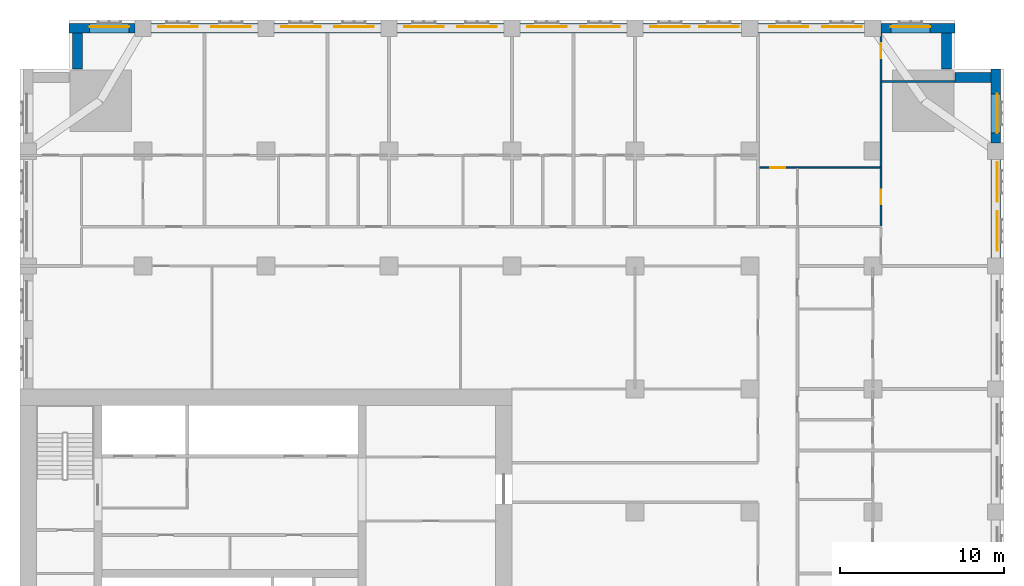
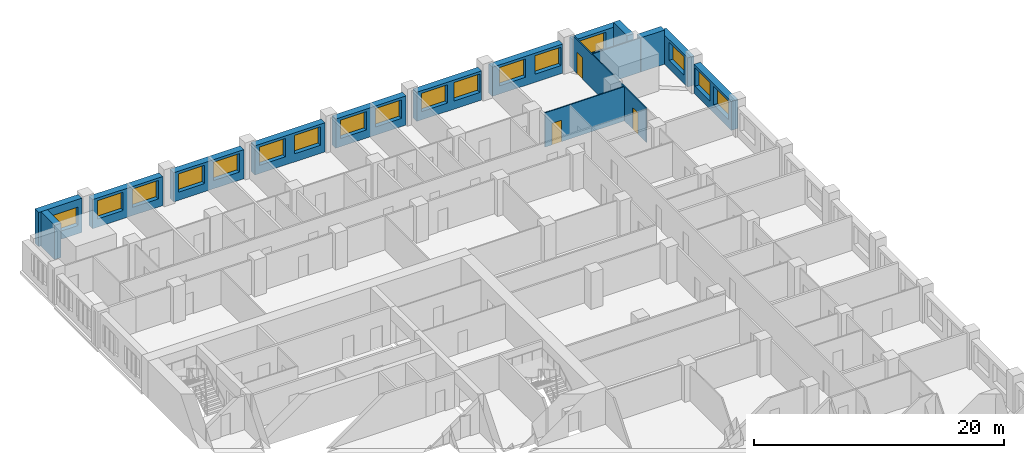
# One storey, part 11 of 14: 17 windows, 16 walls, 3 doors, 20 openings.
"""IFC4 building model written with IfcOpenShell, lengths in metres."""

from ifc_helpers import new_model, si_unit, direction, frame, frame_2d, origin, place, context, subcontext, project, spatial, rectangle, extrude, material, layer, layer_set, type_object, element, fill, save


model = new_model("IFC4")

# Units and contexts
model_context = context("Model", 3, precision=1e-05, world=origin(), true_north=direction((0.0, 1.0)))
body_context = subcontext(model_context, "Body", "Model", "MODEL_VIEW")
ifc_project = project(units=[si_unit("LENGTHUNIT", "METRE"), si_unit("AREAUNIT", "SQUARE_METRE"), si_unit("VOLUMEUNIT", "CUBIC_METRE"), si_unit("PLANEANGLEUNIT", "RADIAN"), si_unit("MASSUNIT", "GRAM", prefix="KILO")], contexts=[model_context])

# Site, building, storey
site_placement = place(None, origin())
site = spatial("IfcSite", under=ifc_project, at=site_placement, CompositionType="ELEMENT")
building_placement = place(site_placement, origin())
building = spatial("IfcBuilding", under=site, at=building_placement, Name="Tamorin Gate", CompositionType="ELEMENT")
storey_placement = place(building_placement, frame((0.0, 0.0, 79.10009765625)))
storey = spatial("IfcBuildingStorey", under=building, at=storey_placement, Name="L18", CompositionType="ELEMENT", Elevation=79.10009765625)

# Wall, openings, windows
ifc_material_1 = material(Name="Precast concrete C40/50", Category="concrete")
ifc_layer_1 = layer(ifc_material_1, 0.60009765625)
ifc_layer_set_1 = layer_set([ifc_layer_1], Name="Precast concrete C40/50")
wall_type_1 = type_object("IfcWallType", Name="Board-marked concrete facade panel 600", PredefinedType="SOLIDWALL", material=ifc_layer_set_1)
wall_1_placement = place(storey_placement, frame((89.5, 90.5, 0.0), z_axis=(0.0, 0.0, 1.0), x_axis=(0.0, 1.0, 0.0)))
wall_1 = element("IfcWall", 1, at=wall_1_placement, inside=storey, type_object=wall_type_1, Name="Facade panel", PredefinedType="SOLIDWALL", context=body_context, shape_type="SweptSolid", body=[
    extrude(rectangle(XDim=6.0, YDim=0.60009765625, at=frame_2d((3.0, 0.0))), origin(), (0.0, 0.0, 1.0), 2.849853515625),
])
opening_1_placement = place(wall_1_placement, frame((0.425048828125, 0.0, 0.800048828125)))
opening_1 = element("IfcOpeningElement", 2, at=opening_1_placement, cuts=wall_1, Name="Opening WN1", PredefinedType="OPENING", context=body_context, shape_type="SweptSolid", body=[
    extrude(rectangle(XDim=2.39990234375, YDim=1.800048828125, at=frame_2d((1.199951171875, 0.89990234375))), frame((0.0, 0.31005859375, 0.0), z_axis=(0.0, -1.0, 0.0), x_axis=(1.0, 0.0, 0.0)), (0.0, 0.0, 1.0), 0.6201171875),
])
opening_2_placement = place(wall_1_placement, frame((3.425048828125, 0.0, 0.800048828125)))
opening_2 = element("IfcOpeningElement", 3, at=opening_2_placement, cuts=wall_1, Name="Opening WN1", PredefinedType="OPENING", context=body_context, shape_type="SweptSolid", body=[
    extrude(rectangle(XDim=2.39990234375, YDim=1.800048828125, at=frame_2d((1.199951171875, 0.89990234375))), frame((0.0, 0.31005859375, 0.0), z_axis=(0.0, -1.0, 0.0), x_axis=(1.0, 0.0, 0.0)), (0.0, 0.0, 1.0), 0.6201171875),
])
ifc_material_2 = material(Name="Clear glass in aluminium frame", Category="aluminium")
window_type = type_object("IfcWindowType", Name="Deep-set window 2400x1800", PartitioningType="SINGLE_PANEL", PredefinedType="WINDOW", material=ifc_material_2)
window_1_placement = place(opening_1_placement, origin())
window_1 = element("IfcWindow", 4, at=window_1_placement, inside=storey, type_object=window_type, Name="Deep-set window", OverallHeight=1.800048828125, OverallWidth=2.39990234375, PartitioningType="SINGLE_PANEL", PredefinedType="WINDOW", context=body_context, shape_type="SweptSolid", body=[
    extrude(rectangle(XDim=2.39990234375, YDim=1.800048828125, at=frame_2d((1.199951171875, 0.89990234375))), frame((0.0, -0.070068359375, 0.0), z_axis=(0.0, -1.0, 0.0), x_axis=(1.0, 0.0, 0.0)), (0.0, 0.0, 1.0), 0.06005859375),
])
fill(opening_1, window_1)
window_2_placement = place(opening_2_placement, origin())
window_2 = element("IfcWindow", 5, at=window_2_placement, inside=storey, type_object=window_type, Name="Deep-set window", OverallHeight=1.800048828125, OverallWidth=2.39990234375, PartitioningType="SINGLE_PANEL", PredefinedType="WINDOW", context=body_context, shape_type="SweptSolid", body=[
    extrude(rectangle(XDim=2.39990234375, YDim=1.800048828125, at=frame_2d((1.199951171875, 0.89990234375))), frame((0.0, -0.070068359375, 0.0), z_axis=(0.0, -1.0, 0.0), x_axis=(1.0, 0.0, 0.0)), (0.0, 0.0, 1.0), 0.06005859375),
])
fill(opening_2, window_2)

# Wall, opening, window
wall_2_placement = place(storey_placement, frame((89.5, 97.5, 0.0), z_axis=(0.0, 0.0, 1.0), x_axis=(0.0, 1.0, 0.0)))
wall_2 = element("IfcWall", 6, at=wall_2_placement, inside=storey, type_object=wall_type_1, Name="Facade panel", PredefinedType="SOLIDWALL", context=body_context, shape_type="SweptSolid", body=[
    extrude(rectangle(XDim=4.5, YDim=0.60009765625, at=frame_2d((2.25, 0.0))), origin(), (0.0, 0.0, 1.0), 2.849853515625),
])
opening_3_placement = place(wall_2_placement, frame((0.60009765625, 0.0, 0.800048828125)))
opening_3 = element("IfcOpeningElement", 7, at=opening_3_placement, cuts=wall_2, Name="Opening WN1", PredefinedType="OPENING", context=body_context, shape_type="SweptSolid", body=[
    extrude(rectangle(XDim=2.39990234375, YDim=1.800048828125, at=frame_2d((1.199951171875, 0.89990234375))), frame((0.0, 0.31005859375, 0.0), z_axis=(0.0, -1.0, 0.0), x_axis=(1.0, 0.0, 0.0)), (0.0, 0.0, 1.0), 0.6201171875),
])
window_3_placement = place(opening_3_placement, origin())
window_3 = element("IfcWindow", 8, at=window_3_placement, inside=storey, type_object=window_type, Name="Deep-set window", OverallHeight=1.800048828125, OverallWidth=2.39990234375, PartitioningType="SINGLE_PANEL", PredefinedType="WINDOW", context=body_context, shape_type="SweptSolid", body=[
    extrude(rectangle(XDim=2.39990234375, YDim=1.800048828125, at=frame_2d((1.199951171875, 0.89990234375))), frame((0.0, -0.070068359375, 0.0), z_axis=(0.0, -1.0, 0.0), x_axis=(1.0, 0.0, 0.0)), (0.0, 0.0, 1.0), 0.06005859375),
])
fill(opening_3, window_3)

# Walls
for number, where, z_axis, x_axis, name in (
    (9, (89.199951171875, 101.5, 0.0), (0.0, 0.0, 1.0), (-1.0, 0.0, 0.0), "Facade panel"),
    (10, (86.5, 102.0, 0.0), (0.0, 0.0, 1.0), (0.0, 1.0, 0.0), "Facade panel"),
):
    element("IfcWall", number, at=place(storey_placement, frame(where, z_axis=z_axis, x_axis=x_axis)), inside=storey, type_object=wall_type_1, Name=name, PredefinedType="SOLIDWALL", context=body_context, shape_type="SweptSolid", body=[
        extrude(rectangle(XDim=2.199951171875, YDim=0.60009765625, at=frame_2d((1.10009765625, 0.0))), origin(), (0.0, 0.0, 1.0), 3.349853515625),
    ])

# Wall, opening, window
wall_3_placement = place(storey_placement, frame((87.0, 104.5, 0.0), z_axis=(0.0, 0.0, 1.0), x_axis=(-1.0, 0.0, 0.0)))
wall_3 = element("IfcWall", 11, at=wall_3_placement, inside=storey, type_object=wall_type_1, Name="Facade panel", PredefinedType="SOLIDWALL", context=body_context, shape_type="SweptSolid", body=[
    extrude(rectangle(XDim=4.5, YDim=0.60009765625, at=frame_2d((2.25, 0.0))), origin(), (0.0, 0.0, 1.0), 2.849853515625),
])
opening_4_placement = place(wall_3_placement, frame((1.5, 0.0, 0.800048828125)))
opening_4 = element("IfcOpeningElement", 12, at=opening_4_placement, cuts=wall_3, Name="Opening WN1", PredefinedType="OPENING", context=body_context, shape_type="SweptSolid", body=[
    extrude(rectangle(XDim=2.39990234375, YDim=1.800048828125, at=frame_2d((1.199951171875, 0.89990234375))), frame((0.0, 0.31005859375, 0.0), z_axis=(0.0, -1.0, 0.0), x_axis=(1.0, 0.0, 0.0)), (0.0, 0.0, 1.0), 0.6201171875),
])
window_4_placement = place(opening_4_placement, origin())
window_4 = element("IfcWindow", 13, at=window_4_placement, inside=storey, type_object=window_type, Name="Deep-set window", OverallHeight=1.800048828125, OverallWidth=2.39990234375, PartitioningType="SINGLE_PANEL", PredefinedType="WINDOW", context=body_context, shape_type="SweptSolid", body=[
    extrude(rectangle(XDim=2.39990234375, YDim=1.800048828125, at=frame_2d((1.199951171875, 0.89990234375))), frame((0.0, -0.070068359375, 0.0), z_axis=(0.0, -1.0, 0.0), x_axis=(1.0, 0.0, 0.0)), (0.0, 0.0, 1.0), 0.06005859375),
])
fill(opening_4, window_4)

# Wall, openings, windows
wall_4_placement = place(storey_placement, frame((81.5, 104.5, 0.0), z_axis=(0.0, 0.0, 1.0), x_axis=(-1.0, 0.0, 0.0)))
wall_4 = element("IfcWall", 14, at=wall_4_placement, inside=storey, type_object=wall_type_1, Name="Facade panel", PredefinedType="SOLIDWALL", context=body_context, shape_type="SweptSolid", body=[
    extrude(rectangle(XDim=6.5, YDim=0.60009765625, at=frame_2d((3.25, 0.0))), origin(), (0.0, 0.0, 1.0), 2.849853515625),
])
opening_5_placement = place(wall_4_placement, frame((3.425048828125, 0.0, 0.800048828125)))
opening_5 = element("IfcOpeningElement", 15, at=opening_5_placement, cuts=wall_4, Name="Opening WN1", PredefinedType="OPENING", context=body_context, shape_type="SweptSolid", body=[
    extrude(rectangle(XDim=2.39990234375, YDim=1.800048828125, at=frame_2d((1.199951171875, 0.89990234375))), frame((0.0, 0.31005859375, 0.0), z_axis=(0.0, -1.0, 0.0), x_axis=(1.0, 0.0, 0.0)), (0.0, 0.0, 1.0), 0.6201171875),
])
opening_6_placement = place(wall_4_placement, frame((0.175048828125, 0.0, 0.800048828125)))
opening_6 = element("IfcOpeningElement", 16, at=opening_6_placement, cuts=wall_4, Name="Opening WN1", PredefinedType="OPENING", context=body_context, shape_type="SweptSolid", body=[
    extrude(rectangle(XDim=2.39990234375, YDim=1.800048828125, at=frame_2d((1.199951171875, 0.89990234375))), frame((0.0, 0.31005859375, 0.0), z_axis=(0.0, -1.0, 0.0), x_axis=(1.0, 0.0, 0.0)), (0.0, 0.0, 1.0), 0.6201171875),
])
window_5_placement = place(opening_5_placement, origin())
window_5 = element("IfcWindow", 17, at=window_5_placement, inside=storey, type_object=window_type, Name="Deep-set window", OverallHeight=1.800048828125, OverallWidth=2.39990234375, PartitioningType="SINGLE_PANEL", PredefinedType="WINDOW", context=body_context, shape_type="SweptSolid", body=[
    extrude(rectangle(XDim=2.39990234375, YDim=1.800048828125, at=frame_2d((1.199951171875, 0.89990234375))), frame((0.0, -0.070068359375, 0.0), z_axis=(0.0, -1.0, 0.0), x_axis=(1.0, 0.0, 0.0)), (0.0, 0.0, 1.0), 0.06005859375),
])
fill(opening_5, window_5)
window_6_placement = place(opening_6_placement, origin())
window_6 = element("IfcWindow", 18, at=window_6_placement, inside=storey, type_object=window_type, Name="Deep-set window", OverallHeight=1.800048828125, OverallWidth=2.39990234375, PartitioningType="SINGLE_PANEL", PredefinedType="WINDOW", context=body_context, shape_type="SweptSolid", body=[
    extrude(rectangle(XDim=2.39990234375, YDim=1.800048828125, at=frame_2d((1.199951171875, 0.89990234375))), frame((0.0, -0.070068359375, 0.0), z_axis=(0.0, -1.0, 0.0), x_axis=(1.0, 0.0, 0.0)), (0.0, 0.0, 1.0), 0.06005859375),
])
fill(opening_6, window_6)

wall_5_placement = place(storey_placement, frame((74.0, 104.5, 0.0), z_axis=(0.0, 0.0, 1.0), x_axis=(-1.0, 0.0, 0.0)))
wall_5 = element("IfcWall", 19, at=wall_5_placement, inside=storey, type_object=wall_type_1, Name="Facade panel", PredefinedType="SOLIDWALL", context=body_context, shape_type="SweptSolid", body=[
    extrude(rectangle(XDim=6.0, YDim=0.60009765625, at=frame_2d((3.0, 0.0))), origin(), (0.0, 0.0, 1.0), 2.849853515625),
])
opening_7_placement = place(wall_5_placement, frame((3.175048828125, 0.0, 0.800048828125)))
opening_7 = element("IfcOpeningElement", 20, at=opening_7_placement, cuts=wall_5, Name="Opening WN1", PredefinedType="OPENING", context=body_context, shape_type="SweptSolid", body=[
    extrude(rectangle(XDim=2.39990234375, YDim=1.800048828125, at=frame_2d((1.199951171875, 0.89990234375))), frame((0.0, 0.31005859375, 0.0), z_axis=(0.0, -1.0, 0.0), x_axis=(1.0, 0.0, 0.0)), (0.0, 0.0, 1.0), 0.6201171875),
])
opening_8_placement = place(wall_5_placement, frame((0.175048828125, 0.0, 0.800048828125)))
opening_8 = element("IfcOpeningElement", 21, at=opening_8_placement, cuts=wall_5, Name="Opening WN1", PredefinedType="OPENING", context=body_context, shape_type="SweptSolid", body=[
    extrude(rectangle(XDim=2.39990234375, YDim=1.800048828125, at=frame_2d((1.199951171875, 0.89990234375))), frame((0.0, 0.31005859375, 0.0), z_axis=(0.0, -1.0, 0.0), x_axis=(1.0, 0.0, 0.0)), (0.0, 0.0, 1.0), 0.6201171875),
])
window_7_placement = place(opening_7_placement, origin())
window_7 = element("IfcWindow", 22, at=window_7_placement, inside=storey, type_object=window_type, Name="Deep-set window", OverallHeight=1.800048828125, OverallWidth=2.39990234375, PartitioningType="SINGLE_PANEL", PredefinedType="WINDOW", context=body_context, shape_type="SweptSolid", body=[
    extrude(rectangle(XDim=2.39990234375, YDim=1.800048828125, at=frame_2d((1.199951171875, 0.89990234375))), frame((0.0, -0.070068359375, 0.0), z_axis=(0.0, -1.0, 0.0), x_axis=(1.0, 0.0, 0.0)), (0.0, 0.0, 1.0), 0.06005859375),
])
fill(opening_7, window_7)
window_8_placement = place(opening_8_placement, origin())
window_8 = element("IfcWindow", 23, at=window_8_placement, inside=storey, type_object=window_type, Name="Deep-set window", OverallHeight=1.800048828125, OverallWidth=2.39990234375, PartitioningType="SINGLE_PANEL", PredefinedType="WINDOW", context=body_context, shape_type="SweptSolid", body=[
    extrude(rectangle(XDim=2.39990234375, YDim=1.800048828125, at=frame_2d((1.199951171875, 0.89990234375))), frame((0.0, -0.070068359375, 0.0), z_axis=(0.0, -1.0, 0.0), x_axis=(1.0, 0.0, 0.0)), (0.0, 0.0, 1.0), 0.06005859375),
])
fill(opening_8, window_8)

wall_6_placement = place(storey_placement, frame((67.0, 104.5, 0.0), z_axis=(0.0, 0.0, 1.0), x_axis=(-1.0, 0.0, 0.0)))
wall_6 = element("IfcWall", 24, at=wall_6_placement, inside=storey, type_object=wall_type_1, Name="Facade panel", PredefinedType="SOLIDWALL", context=body_context, shape_type="SweptSolid", body=[
    extrude(rectangle(XDim=6.5, YDim=0.60009765625, at=frame_2d((3.25, 0.0))), origin(), (0.0, 0.0, 1.0), 2.849853515625),
])
opening_9_placement = place(wall_6_placement, frame((3.675048828125, 0.0, 0.800048828125)))
opening_9 = element("IfcOpeningElement", 25, at=opening_9_placement, cuts=wall_6, Name="Opening WN1", PredefinedType="OPENING", context=body_context, shape_type="SweptSolid", body=[
    extrude(rectangle(XDim=2.39990234375, YDim=1.800048828125, at=frame_2d((1.199951171875, 0.89990234375))), frame((0.0, 0.31005859375, 0.0), z_axis=(0.0, -1.0, 0.0), x_axis=(1.0, 0.0, 0.0)), (0.0, 0.0, 1.0), 0.6201171875),
])
opening_10_placement = place(wall_6_placement, frame((0.425048828125, 0.0, 0.800048828125)))
opening_10 = element("IfcOpeningElement", 26, at=opening_10_placement, cuts=wall_6, Name="Opening WN1", PredefinedType="OPENING", context=body_context, shape_type="SweptSolid", body=[
    extrude(rectangle(XDim=2.39990234375, YDim=1.800048828125, at=frame_2d((1.199951171875, 0.89990234375))), frame((0.0, 0.31005859375, 0.0), z_axis=(0.0, -1.0, 0.0), x_axis=(1.0, 0.0, 0.0)), (0.0, 0.0, 1.0), 0.6201171875),
])
window_9_placement = place(opening_9_placement, origin())
window_9 = element("IfcWindow", 27, at=window_9_placement, inside=storey, type_object=window_type, Name="Deep-set window", OverallHeight=1.800048828125, OverallWidth=2.39990234375, PartitioningType="SINGLE_PANEL", PredefinedType="WINDOW", context=body_context, shape_type="SweptSolid", body=[
    extrude(rectangle(XDim=2.39990234375, YDim=1.800048828125, at=frame_2d((1.199951171875, 0.89990234375))), frame((0.0, -0.070068359375, 0.0), z_axis=(0.0, -1.0, 0.0), x_axis=(1.0, 0.0, 0.0)), (0.0, 0.0, 1.0), 0.06005859375),
])
fill(opening_9, window_9)
window_10_placement = place(opening_10_placement, origin())
window_10 = element("IfcWindow", 28, at=window_10_placement, inside=storey, type_object=window_type, Name="Deep-set window", OverallHeight=1.800048828125, OverallWidth=2.39990234375, PartitioningType="SINGLE_PANEL", PredefinedType="WINDOW", context=body_context, shape_type="SweptSolid", body=[
    extrude(rectangle(XDim=2.39990234375, YDim=1.800048828125, at=frame_2d((1.199951171875, 0.89990234375))), frame((0.0, -0.070068359375, 0.0), z_axis=(0.0, -1.0, 0.0), x_axis=(1.0, 0.0, 0.0)), (0.0, 0.0, 1.0), 0.06005859375),
])
fill(opening_10, window_10)

wall_7_placement = place(storey_placement, frame((59.5, 104.5, 0.0), z_axis=(0.0, 0.0, 1.0), x_axis=(-1.0, 0.0, 0.0)))
wall_7 = element("IfcWall", 29, at=wall_7_placement, inside=storey, type_object=wall_type_1, Name="Facade panel", PredefinedType="SOLIDWALL", context=body_context, shape_type="SweptSolid", body=[
    extrude(rectangle(XDim=6.5, YDim=0.60009765625, at=frame_2d((3.25, 0.0))), origin(), (0.0, 0.0, 1.0), 2.849853515625),
])
opening_11_placement = place(wall_7_placement, frame((3.675048828125, 0.0, 0.800048828125)))
opening_11 = element("IfcOpeningElement", 30, at=opening_11_placement, cuts=wall_7, Name="Opening WN1", PredefinedType="OPENING", context=body_context, shape_type="SweptSolid", body=[
    extrude(rectangle(XDim=2.39990234375, YDim=1.800048828125, at=frame_2d((1.199951171875, 0.89990234375))), frame((0.0, 0.31005859375, 0.0), z_axis=(0.0, -1.0, 0.0), x_axis=(1.0, 0.0, 0.0)), (0.0, 0.0, 1.0), 0.6201171875),
])
opening_12_placement = place(wall_7_placement, frame((0.425048828125, 0.0, 0.800048828125)))
opening_12 = element("IfcOpeningElement", 31, at=opening_12_placement, cuts=wall_7, Name="Opening WN1", PredefinedType="OPENING", context=body_context, shape_type="SweptSolid", body=[
    extrude(rectangle(XDim=2.39990234375, YDim=1.800048828125, at=frame_2d((1.199951171875, 0.89990234375))), frame((0.0, 0.31005859375, 0.0), z_axis=(0.0, -1.0, 0.0), x_axis=(1.0, 0.0, 0.0)), (0.0, 0.0, 1.0), 0.6201171875),
])
window_11_placement = place(opening_11_placement, origin())
window_11 = element("IfcWindow", 32, at=window_11_placement, inside=storey, type_object=window_type, Name="Deep-set window", OverallHeight=1.800048828125, OverallWidth=2.39990234375, PartitioningType="SINGLE_PANEL", PredefinedType="WINDOW", context=body_context, shape_type="SweptSolid", body=[
    extrude(rectangle(XDim=2.39990234375, YDim=1.800048828125, at=frame_2d((1.199951171875, 0.89990234375))), frame((0.0, -0.070068359375, 0.0), z_axis=(0.0, -1.0, 0.0), x_axis=(1.0, 0.0, 0.0)), (0.0, 0.0, 1.0), 0.06005859375),
])
fill(opening_11, window_11)
window_12_placement = place(opening_12_placement, origin())
window_12 = element("IfcWindow", 33, at=window_12_placement, inside=storey, type_object=window_type, Name="Deep-set window", OverallHeight=1.800048828125, OverallWidth=2.39990234375, PartitioningType="SINGLE_PANEL", PredefinedType="WINDOW", context=body_context, shape_type="SweptSolid", body=[
    extrude(rectangle(XDim=2.39990234375, YDim=1.800048828125, at=frame_2d((1.199951171875, 0.89990234375))), frame((0.0, -0.070068359375, 0.0), z_axis=(0.0, -1.0, 0.0), x_axis=(1.0, 0.0, 0.0)), (0.0, 0.0, 1.0), 0.06005859375),
])
fill(opening_12, window_12)

wall_8_placement = place(storey_placement, frame((52.0, 104.5, 0.0), z_axis=(0.0, 0.0, 1.0), x_axis=(-1.0, 0.0, 0.0)))
wall_8 = element("IfcWall", 34, at=wall_8_placement, inside=storey, type_object=wall_type_1, Name="Facade panel", PredefinedType="SOLIDWALL", context=body_context, shape_type="SweptSolid", body=[
    extrude(rectangle(XDim=6.5, YDim=0.60009765625, at=frame_2d((3.25, 0.0))), origin(), (0.0, 0.0, 1.0), 2.849853515625),
])
opening_13_placement = place(wall_8_placement, frame((3.675048828125, 0.0, 0.800048828125)))
opening_13 = element("IfcOpeningElement", 35, at=opening_13_placement, cuts=wall_8, Name="Opening WN1", PredefinedType="OPENING", context=body_context, shape_type="SweptSolid", body=[
    extrude(rectangle(XDim=2.39990234375, YDim=1.800048828125, at=frame_2d((1.199951171875, 0.89990234375))), frame((0.0, 0.31005859375, 0.0), z_axis=(0.0, -1.0, 0.0), x_axis=(1.0, 0.0, 0.0)), (0.0, 0.0, 1.0), 0.6201171875),
])
opening_14_placement = place(wall_8_placement, frame((0.425048828125, 0.0, 0.800048828125)))
opening_14 = element("IfcOpeningElement", 36, at=opening_14_placement, cuts=wall_8, Name="Opening WN1", PredefinedType="OPENING", context=body_context, shape_type="SweptSolid", body=[
    extrude(rectangle(XDim=2.39990234375, YDim=1.800048828125, at=frame_2d((1.199951171875, 0.89990234375))), frame((0.0, 0.31005859375, 0.0), z_axis=(0.0, -1.0, 0.0), x_axis=(1.0, 0.0, 0.0)), (0.0, 0.0, 1.0), 0.6201171875),
])
window_13_placement = place(opening_13_placement, origin())
window_13 = element("IfcWindow", 37, at=window_13_placement, inside=storey, type_object=window_type, Name="Deep-set window", OverallHeight=1.800048828125, OverallWidth=2.39990234375, PartitioningType="SINGLE_PANEL", PredefinedType="WINDOW", context=body_context, shape_type="SweptSolid", body=[
    extrude(rectangle(XDim=2.39990234375, YDim=1.800048828125, at=frame_2d((1.199951171875, 0.89990234375))), frame((0.0, -0.070068359375, 0.0), z_axis=(0.0, -1.0, 0.0), x_axis=(1.0, 0.0, 0.0)), (0.0, 0.0, 1.0), 0.06005859375),
])
fill(opening_13, window_13)
window_14_placement = place(opening_14_placement, origin())
window_14 = element("IfcWindow", 38, at=window_14_placement, inside=storey, type_object=window_type, Name="Deep-set window", OverallHeight=1.800048828125, OverallWidth=2.39990234375, PartitioningType="SINGLE_PANEL", PredefinedType="WINDOW", context=body_context, shape_type="SweptSolid", body=[
    extrude(rectangle(XDim=2.39990234375, YDim=1.800048828125, at=frame_2d((1.199951171875, 0.89990234375))), frame((0.0, -0.070068359375, 0.0), z_axis=(0.0, -1.0, 0.0), x_axis=(1.0, 0.0, 0.0)), (0.0, 0.0, 1.0), 0.06005859375),
])
fill(opening_14, window_14)

wall_9_placement = place(storey_placement, frame((44.5, 104.5, 0.0), z_axis=(0.0, 0.0, 1.0), x_axis=(-1.0, 0.0, 0.0)))
wall_9 = element("IfcWall", 39, at=wall_9_placement, inside=storey, type_object=wall_type_1, Name="Facade panel", PredefinedType="SOLIDWALL", context=body_context, shape_type="SweptSolid", body=[
    extrude(rectangle(XDim=6.5, YDim=0.60009765625, at=frame_2d((3.25, 0.0))), origin(), (0.0, 0.0, 1.0), 2.849853515625),
])
opening_15_placement = place(wall_9_placement, frame((3.675048828125, 0.0, 0.800048828125)))
opening_15 = element("IfcOpeningElement", 40, at=opening_15_placement, cuts=wall_9, Name="Opening WN1", PredefinedType="OPENING", context=body_context, shape_type="SweptSolid", body=[
    extrude(rectangle(XDim=2.39990234375, YDim=1.800048828125, at=frame_2d((1.199951171875, 0.89990234375))), frame((0.0, 0.31005859375, 0.0), z_axis=(0.0, -1.0, 0.0), x_axis=(1.0, 0.0, 0.0)), (0.0, 0.0, 1.0), 0.6201171875),
])
opening_16_placement = place(wall_9_placement, frame((0.425048828125, 0.0, 0.800048828125)))
opening_16 = element("IfcOpeningElement", 41, at=opening_16_placement, cuts=wall_9, Name="Opening WN1", PredefinedType="OPENING", context=body_context, shape_type="SweptSolid", body=[
    extrude(rectangle(XDim=2.39990234375, YDim=1.800048828125, at=frame_2d((1.199951171875, 0.89990234375))), frame((0.0, 0.31005859375, 0.0), z_axis=(0.0, -1.0, 0.0), x_axis=(1.0, 0.0, 0.0)), (0.0, 0.0, 1.0), 0.6201171875),
])
window_15_placement = place(opening_15_placement, origin())
window_15 = element("IfcWindow", 42, at=window_15_placement, inside=storey, type_object=window_type, Name="Deep-set window", OverallHeight=1.800048828125, OverallWidth=2.39990234375, PartitioningType="SINGLE_PANEL", PredefinedType="WINDOW", context=body_context, shape_type="SweptSolid", body=[
    extrude(rectangle(XDim=2.39990234375, YDim=1.800048828125, at=frame_2d((1.199951171875, 0.89990234375))), frame((0.0, -0.070068359375, 0.0), z_axis=(0.0, -1.0, 0.0), x_axis=(1.0, 0.0, 0.0)), (0.0, 0.0, 1.0), 0.06005859375),
])
fill(opening_15, window_15)
window_16_placement = place(opening_16_placement, origin())
window_16 = element("IfcWindow", 43, at=window_16_placement, inside=storey, type_object=window_type, Name="Deep-set window", OverallHeight=1.800048828125, OverallWidth=2.39990234375, PartitioningType="SINGLE_PANEL", PredefinedType="WINDOW", context=body_context, shape_type="SweptSolid", body=[
    extrude(rectangle(XDim=2.39990234375, YDim=1.800048828125, at=frame_2d((1.199951171875, 0.89990234375))), frame((0.0, -0.070068359375, 0.0), z_axis=(0.0, -1.0, 0.0), x_axis=(1.0, 0.0, 0.0)), (0.0, 0.0, 1.0), 0.06005859375),
])
fill(opening_16, window_16)

# Wall, opening, window
wall_10_placement = place(storey_placement, frame((37.0, 104.5, 0.0), z_axis=(0.0, 0.0, 1.0), x_axis=(-1.0, 0.0, 0.0)))
wall_10 = element("IfcWall", 44, at=wall_10_placement, inside=storey, type_object=wall_type_1, Name="Facade panel", PredefinedType="SOLIDWALL", context=body_context, shape_type="SweptSolid", body=[
    extrude(rectangle(XDim=4.0, YDim=0.60009765625, at=frame_2d((2.0, 0.0))), origin(), (0.0, 0.0, 1.0), 3.349853515625),
])
opening_17_placement = place(wall_10_placement, frame((0.35009765625, 0.0, 0.800048828125)))
opening_17 = element("IfcOpeningElement", 45, at=opening_17_placement, cuts=wall_10, Name="Opening WN1", PredefinedType="OPENING", context=body_context, shape_type="SweptSolid", body=[
    extrude(rectangle(XDim=2.39990234375, YDim=1.800048828125, at=frame_2d((1.199951171875, 0.89990234375))), frame((0.0, 0.31005859375, 0.0), z_axis=(0.0, -1.0, 0.0), x_axis=(1.0, 0.0, 0.0)), (0.0, 0.0, 1.0), 0.6201171875),
])
window_17_placement = place(opening_17_placement, origin())
window_17 = element("IfcWindow", 46, at=window_17_placement, inside=storey, type_object=window_type, Name="Deep-set window", OverallHeight=1.800048828125, OverallWidth=2.39990234375, PartitioningType="SINGLE_PANEL", PredefinedType="WINDOW", context=body_context, shape_type="SweptSolid", body=[
    extrude(rectangle(XDim=2.39990234375, YDim=1.800048828125, at=frame_2d((1.199951171875, 0.89990234375))), frame((0.0, -0.070068359375, 0.0), z_axis=(0.0, -1.0, 0.0), x_axis=(1.0, 0.0, 0.0)), (0.0, 0.0, 1.0), 0.06005859375),
])
fill(opening_17, window_17)

# Wall
wall_11_placement = place(storey_placement, frame((33.5, 104.199951171875, 0.0), z_axis=(0.0, 0.0, 1.0), x_axis=(0.0, -1.0, 0.0)))
element("IfcWall", 47, at=wall_11_placement, inside=storey, type_object=wall_type_1, Name="Facade panel", PredefinedType="SOLIDWALL", context=body_context, shape_type="SweptSolid", body=[
    extrude(rectangle(XDim=2.199951171875, YDim=0.60009765625, at=frame_2d((1.10009765625, 0.0))), origin(), (0.0, 0.0, 1.0), 3.349853515625),
])

# Wall, opening, door
ifc_material_3 = material(Name="Gypsum board partition")
ifc_layer_2 = layer(ifc_material_3, 0.10009765625)
ifc_layer_set_2 = layer_set([ifc_layer_2], Name="Room partition 100")
wall_type_2 = type_object("IfcWallType", Name="Room partition 100", PredefinedType="PARTITIONING", material=ifc_layer_set_2)
wall_12_placement = place(storey_placement, frame((75.10009765625, 96.0, 0.0), z_axis=(0.0, 0.0, 1.0), x_axis=(1.0, 0.0, 0.0)))
wall_12 = element("IfcWall", 48, at=wall_12_placement, inside=storey, type_object=wall_type_2, Name="Room partition 100", PredefinedType="PARTITIONING", context=body_context, shape_type="SweptSolid", body=[
    extrude(rectangle(XDim=7.349853515625, YDim=0.10009765625, at=frame_2d((3.6748046875, 0.0))), origin(), (0.0, 0.0, 1.0), 3.349853515625),
])
opening_18_placement = place(wall_12_placement, frame((0.64990234375, 0.0, 0.0)))
opening_18 = element("IfcOpeningElement", 49, at=opening_18_placement, cuts=wall_12, Name="Opening DH5067", PredefinedType="OPENING", context=body_context, shape_type="SweptSolid", body=[
    extrude(rectangle(XDim=0.89990234375, YDim=2.10009765625, at=frame_2d((0.449951171875, 1.050048828125))), frame((0.0, 0.06005859375, 0.0), z_axis=(0.0, -1.0, 0.0), x_axis=(1.0, 0.0, 0.0)), (0.0, 0.0, 1.0), 0.1201171875),
])
ifc_material_4 = material(Name="Timber door leaf", Category="wood")
door_type = type_object("IfcDoorType", Name="Door 900 x 2100", OperationType="NOTDEFINED", PredefinedType="DOOR", material=ifc_material_4)
door_1_placement = place(opening_18_placement, origin())
door_1 = element("IfcDoor", 50, at=door_1_placement, inside=storey, type_object=door_type, Name="Door DH5067", OperationType="SINGLE_SWING_LEFT", OverallHeight=2.10009765625, OverallWidth=0.89990234375, PredefinedType="DOOR", context=body_context, shape_type="SweptSolid", body=[
    extrude(rectangle(XDim=0.89990234375, YDim=2.10009765625, at=frame_2d((0.449951171875, 1.050048828125))), frame((0.0, 0.02490234375, 0.0), z_axis=(0.0, -1.0, 0.0), x_axis=(1.0, 0.0, 0.0)), (0.0, 0.0, 1.0), 0.050048828125),
])
fill(opening_18, door_1)

# Wall
wall_13_placement = place(storey_placement, frame((82.550048828125, 101.25, 0.0), z_axis=(0.0, 0.0, 1.0), x_axis=(1.0, 0.0, 0.0)))
element("IfcWall", 51, at=wall_13_placement, inside=storey, type_object=wall_type_2, Name="Room partition 100", PredefinedType="PARTITIONING", context=body_context, shape_type="SweptSolid", body=[
    extrude(rectangle(XDim=4.43994140625, YDim=0.10009765625, at=frame_2d((2.219970703125, 0.0))), origin(), (0.0, 0.0, 1.0), 3.349853515625),
])

# Wall, openings, doors
wall_14_placement = place(storey_placement, frame((82.5, 92.46240234375, 0.0), z_axis=(0.0, 0.0, 1.0), x_axis=(0.0, 1.0, 0.0)))
wall_14 = element("IfcWall", 52, at=wall_14_placement, inside=storey, type_object=wall_type_2, Name="Room partition 100", PredefinedType="PARTITIONING", context=body_context, shape_type="SweptSolid", body=[
    extrude(rectangle(XDim=11.7275390625, YDim=0.10009765625, at=frame_2d((5.86376953125, 0.0))), origin(), (0.0, 0.0, 1.0), 3.349853515625),
])
opening_19_placement = place(wall_14_placement, frame((10.21240234375, 0.0, 0.0)))
opening_19 = element("IfcOpeningElement", 53, at=opening_19_placement, cuts=wall_14, Name="Opening DH5069", PredefinedType="OPENING", context=body_context, shape_type="SweptSolid", body=[
    extrude(rectangle(XDim=0.89990234375, YDim=2.10009765625, at=frame_2d((0.449951171875, 1.050048828125))), frame((0.0, 0.06005859375, 0.0), z_axis=(0.0, -1.0, 0.0), x_axis=(1.0, 0.0, 0.0)), (0.0, 0.0, 1.0), 0.1201171875),
])
opening_20_placement = place(wall_14_placement, frame((1.28759765625, 0.0, 0.0)))
opening_20 = element("IfcOpeningElement", 54, at=opening_20_placement, cuts=wall_14, Name="Opening DH5070", PredefinedType="OPENING", context=body_context, shape_type="SweptSolid", body=[
    extrude(rectangle(XDim=0.89990234375, YDim=2.10009765625, at=frame_2d((0.449951171875, 1.050048828125))), frame((0.0, 0.06005859375, 0.0), z_axis=(0.0, -1.0, 0.0), x_axis=(1.0, 0.0, 0.0)), (0.0, 0.0, 1.0), 0.1201171875),
])
door_2_placement = place(opening_19_placement, origin())
door_2 = element("IfcDoor", 55, at=door_2_placement, inside=storey, type_object=door_type, Name="Door DH5069", OperationType="SINGLE_SWING_LEFT", OverallHeight=2.10009765625, OverallWidth=0.89990234375, PredefinedType="DOOR", context=body_context, shape_type="SweptSolid", body=[
    extrude(rectangle(XDim=0.89990234375, YDim=2.10009765625, at=frame_2d((0.449951171875, 1.050048828125))), frame((0.0, 0.02490234375, 0.0), z_axis=(0.0, -1.0, 0.0), x_axis=(1.0, 0.0, 0.0)), (0.0, 0.0, 1.0), 0.050048828125),
])
fill(opening_19, door_2)
door_3_placement = place(opening_20_placement, origin())
door_3 = element("IfcDoor", 56, at=door_3_placement, inside=storey, type_object=door_type, Name="Door DH5070", OperationType="SINGLE_SWING_RIGHT", OverallHeight=2.10009765625, OverallWidth=0.89990234375, PredefinedType="DOOR", context=body_context, shape_type="SweptSolid", body=[
    extrude(rectangle(XDim=0.89990234375, YDim=2.10009765625, at=frame_2d((0.449951171875, 1.050048828125))), frame((0.0, 0.02490234375, 0.0), z_axis=(0.0, -1.0, 0.0), x_axis=(1.0, 0.0, 0.0)), (0.0, 0.0, 1.0), 0.050048828125),
])
fill(opening_20, door_3)

save(model, "model.ifc")
